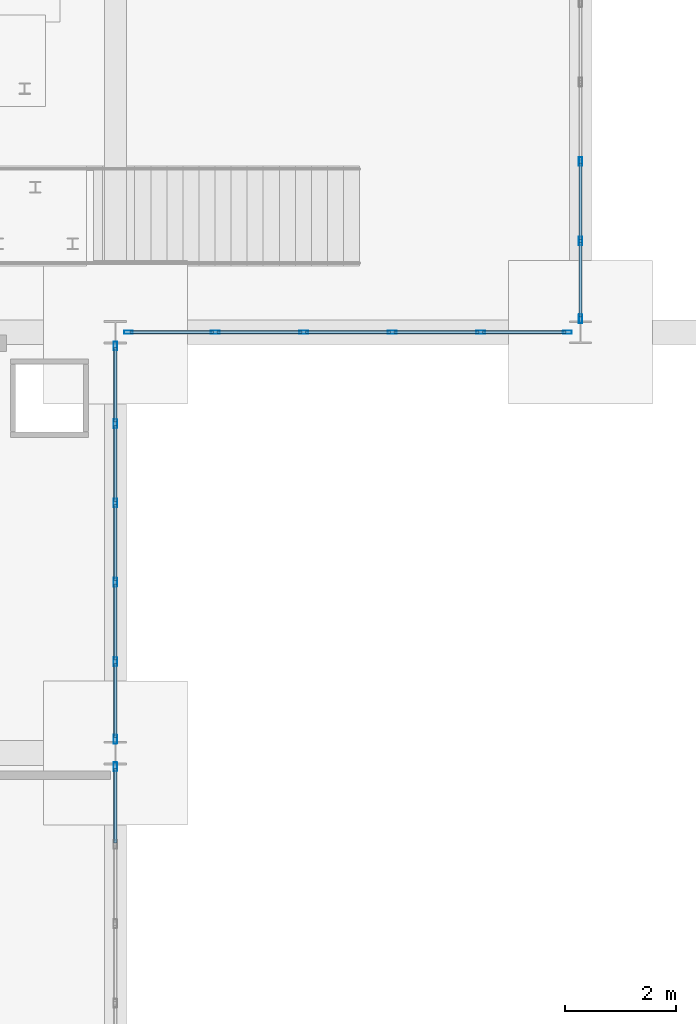
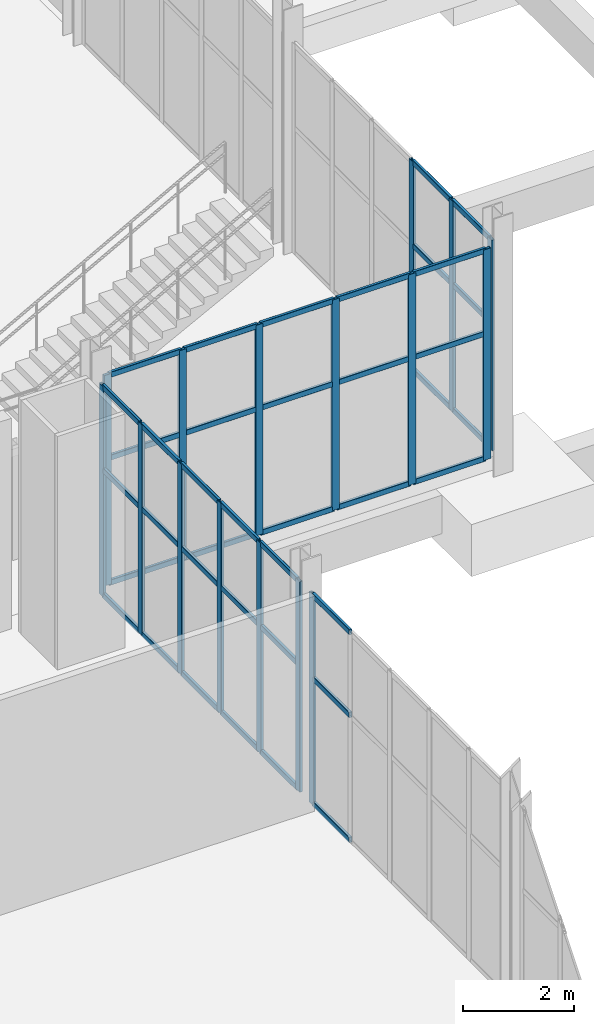
# One storey, part 34 of 95: 55 members, 4 elements without a shape of their own.
"""IFC4 building model written with IfcOpenShell, lengths in metres."""

from ifc_helpers import new_model, si_unit, direction, frame, origin, origin_2d, place, context, subcontext, project, spatial, hollow_rectangle, extrude, material, material_profile, profile_set, type_object, element, aggregate, save


model = new_model("IFC4")

# Units and contexts
model_context = context("Model", 3, precision=1e-05, world=origin(), true_north=direction((0.0, 1.0)))
body_context = subcontext(model_context, "Body", "Model", "MODEL_VIEW")
ifc_project = project(units=[si_unit("LENGTHUNIT", "METRE"), si_unit("AREAUNIT", "SQUARE_METRE"), si_unit("VOLUMEUNIT", "CUBIC_METRE"), si_unit("PLANEANGLEUNIT", "RADIAN"), si_unit("MASSUNIT", "GRAM", prefix="KILO")], contexts=[model_context])

# Site, building, storey
site_placement = place(None, origin())
site = spatial("IfcSite", under=ifc_project, at=site_placement, CompositionType="ELEMENT")
building_placement = place(site_placement, origin())
building = spatial("IfcBuilding", under=site, at=building_placement, Name="Shengluoqiao Park Theatre", CompositionType="ELEMENT")
storey_placement = place(building_placement, origin())
storey = spatial("IfcBuildingStorey", under=building, at=storey_placement, Name="L00", CompositionType="ELEMENT", Elevation=0.0)

# Curtain wall, member
ifc_material = material(Name="Aluminium 6063-T6", Category="aluminium")
curtain_wall_type_1 = type_object("IfcCurtainWallType", Name="ENV-CW-COURT", PredefinedType="NOTDEFINED", material=ifc_material)
curtain_wall_1_placement = place(storey_placement, origin())
curtain_wall_1 = element("IfcCurtainWall", 1, at=curtain_wall_1_placement, inside=storey, type_object=curtain_wall_type_1, Name="L00 Curtain Wall CWX-L00-0014", PredefinedType="NOTDEFINED")
ifc_material_profile_1 = material_profile(ifc_material, hollow_rectangle(XDim=0.06005859375, YDim=0.159912109375, WallThickness=0.00390625, InnerFilletRadius=0.00390625, OuterFilletRadius=0.008056640625, at=origin_2d()), Name="ALU MULLION 160x60x4")
ifc_profile_set_1 = profile_set([ifc_material_profile_1], Name="Aluminium 6063-T6")
member_type_1 = type_object("IfcMemberType", Name="ENV-MUL-160", PredefinedType="MULLION", material=ifc_profile_set_1)
member_1_placement = place(storey_placement, frame((36.0, 45.35205078125, 0.0), z_axis=(0.0, 0.0, 1.0), x_axis=(-1.0, 0.0, 0.0)))
member_1 = element("IfcMember", 2, at=member_1_placement, type_object=member_type_1, Name="CW-05 mullion 6", PredefinedType="MULLION", context=body_context, shape_type="SweptSolid", body=[
    extrude(hollow_rectangle(XDim=0.06005859375, YDim=0.159912109375, WallThickness=0.00390625, InnerFilletRadius=0.00390625, OuterFilletRadius=0.008056640625, at=origin_2d()), origin(), (0.0, 0.0, 1.0), 4.64990234375),
])

# Curtain wall, members
curtain_wall_2_placement = place(storey_placement, origin())
curtain_wall_2 = element("IfcCurtainWall", 3, at=curtain_wall_2_placement, inside=storey, type_object=curtain_wall_type_1, Name="L00 Curtain Wall CWX-L00-0015", PredefinedType="NOTDEFINED")
member_2_placement = place(storey_placement, frame((36.0, 45.847900390625, 0.0), z_axis=(0.0, 0.0, 1.0), x_axis=(-1.0, 0.0, 0.0)))
member_2 = element("IfcMember", 4, at=member_2_placement, type_object=member_type_1, Name="CW-05 mullion 1", PredefinedType="MULLION", context=body_context, shape_type="SweptSolid", body=[
    extrude(hollow_rectangle(XDim=0.06005859375, YDim=0.159912109375, WallThickness=0.00390625, InnerFilletRadius=0.00390625, OuterFilletRadius=0.008056640625, at=origin_2d()), origin(), (0.0, 0.0, 1.0), 4.64990234375),
])
member_3_placement = place(storey_placement, frame((36.0, 47.250732421875, 0.0), z_axis=(0.0, 0.0, 1.0), x_axis=(-1.0, 0.0, 0.0)))
member_3 = element("IfcMember", 5, at=member_3_placement, type_object=member_type_1, Name="CW-05 mullion 2", PredefinedType="MULLION", context=body_context, shape_type="SweptSolid", body=[
    extrude(hollow_rectangle(XDim=0.06005859375, YDim=0.159912109375, WallThickness=0.00390625, InnerFilletRadius=0.00390625, OuterFilletRadius=0.008056640625, at=origin_2d()), origin(), (0.0, 0.0, 1.0), 4.64990234375),
])
member_4_placement = place(storey_placement, frame((36.0, 48.68359375, 0.0), z_axis=(0.0, 0.0, 1.0), x_axis=(-1.0, 0.0, 0.0)))
member_4 = element("IfcMember", 6, at=member_4_placement, type_object=member_type_1, Name="CW-05 mullion 3", PredefinedType="MULLION", context=body_context, shape_type="SweptSolid", body=[
    extrude(hollow_rectangle(XDim=0.06005859375, YDim=0.159912109375, WallThickness=0.00390625, InnerFilletRadius=0.00390625, OuterFilletRadius=0.008056640625, at=origin_2d()), origin(), (0.0, 0.0, 1.0), 4.64990234375),
])
member_5_placement = place(storey_placement, frame((36.0, 50.116455078125, 0.0), z_axis=(0.0, 0.0, 1.0), x_axis=(-1.0, 0.0, 0.0)))
member_5 = element("IfcMember", 7, at=member_5_placement, type_object=member_type_1, Name="CW-05 mullion 4", PredefinedType="MULLION", context=body_context, shape_type="SweptSolid", body=[
    extrude(hollow_rectangle(XDim=0.06005859375, YDim=0.159912109375, WallThickness=0.00390625, InnerFilletRadius=0.00390625, OuterFilletRadius=0.008056640625, at=origin_2d()), origin(), (0.0, 0.0, 1.0), 4.64990234375),
])
member_6_placement = place(storey_placement, frame((36.0, 51.54931640625, 0.0), z_axis=(0.0, 0.0, 1.0), x_axis=(-1.0, 0.0, 0.0)))
member_6 = element("IfcMember", 8, at=member_6_placement, type_object=member_type_1, Name="CW-05 mullion 5", PredefinedType="MULLION", context=body_context, shape_type="SweptSolid", body=[
    extrude(hollow_rectangle(XDim=0.06005859375, YDim=0.159912109375, WallThickness=0.00390625, InnerFilletRadius=0.00390625, OuterFilletRadius=0.008056640625, at=origin_2d()), origin(), (0.0, 0.0, 1.0), 4.64990234375),
])
member_7_placement = place(storey_placement, frame((36.0, 52.951904296875, 0.0), z_axis=(0.0, 0.0, 1.0), x_axis=(-1.0, 0.0, 0.0)))
member_7 = element("IfcMember", 9, at=member_7_placement, type_object=member_type_1, Name="CW-05 mullion 6", PredefinedType="MULLION", context=body_context, shape_type="SweptSolid", body=[
    extrude(hollow_rectangle(XDim=0.06005859375, YDim=0.159912109375, WallThickness=0.00390625, InnerFilletRadius=0.00390625, OuterFilletRadius=0.008056640625, at=origin_2d()), origin(), (0.0, 0.0, 1.0), 4.64990234375),
])

curtain_wall_type_2 = type_object("IfcCurtainWallType", Name="ENV-CW-FOYER", PredefinedType="NOTDEFINED", material=ifc_material)
curtain_wall_3_placement = place(storey_placement, origin())
curtain_wall_3 = element("IfcCurtainWall", 10, at=curtain_wall_3_placement, inside=storey, type_object=curtain_wall_type_2, Name="L00 Curtain Wall CWX-L00-0209", PredefinedType="NOTDEFINED")
member_8_placement = place(storey_placement, frame((36.237548828125, 53.199951171875, 0.0), z_axis=(0.0, 0.0, 1.0), x_axis=(0.0, 1.0, 0.0)))
member_8 = element("IfcMember", 11, at=member_8_placement, type_object=member_type_1, Name="CW-01 mullion 1", PredefinedType="MULLION", context=body_context, shape_type="SweptSolid", body=[
    extrude(hollow_rectangle(XDim=0.06005859375, YDim=0.159912109375, WallThickness=0.00390625, InnerFilletRadius=0.00390625, OuterFilletRadius=0.008056640625, at=origin_2d()), origin(), (0.0, 0.0, 1.0), 4.64990234375),
])
member_9_placement = place(storey_placement, frame((37.8046875, 53.199951171875, 0.0), z_axis=(0.0, 0.0, 1.0), x_axis=(0.0, 1.0, 0.0)))
member_9 = element("IfcMember", 12, at=member_9_placement, type_object=member_type_1, Name="CW-01 mullion 2", PredefinedType="MULLION", context=body_context, shape_type="SweptSolid", body=[
    extrude(hollow_rectangle(XDim=0.06005859375, YDim=0.159912109375, WallThickness=0.00390625, InnerFilletRadius=0.00390625, OuterFilletRadius=0.008056640625, at=origin_2d()), origin(), (0.0, 0.0, 1.0), 4.64990234375),
])
member_10_placement = place(storey_placement, frame((39.40185546875, 53.199951171875, 0.0), z_axis=(0.0, 0.0, 1.0), x_axis=(0.0, 1.0, 0.0)))
member_10 = element("IfcMember", 13, at=member_10_placement, type_object=member_type_1, Name="CW-01 mullion 3", PredefinedType="MULLION", context=body_context, shape_type="SweptSolid", body=[
    extrude(hollow_rectangle(XDim=0.06005859375, YDim=0.159912109375, WallThickness=0.00390625, InnerFilletRadius=0.00390625, OuterFilletRadius=0.008056640625, at=origin_2d()), origin(), (0.0, 0.0, 1.0), 4.64990234375),
])
member_11_placement = place(storey_placement, frame((40.9990234375, 53.199951171875, 0.0), z_axis=(0.0, 0.0, 1.0), x_axis=(0.0, 1.0, 0.0)))
member_11 = element("IfcMember", 14, at=member_11_placement, type_object=member_type_1, Name="CW-01 mullion 4", PredefinedType="MULLION", context=body_context, shape_type="SweptSolid", body=[
    extrude(hollow_rectangle(XDim=0.06005859375, YDim=0.159912109375, WallThickness=0.00390625, InnerFilletRadius=0.00390625, OuterFilletRadius=0.008056640625, at=origin_2d()), origin(), (0.0, 0.0, 1.0), 4.64990234375),
])
member_12_placement = place(storey_placement, frame((42.59619140625, 53.199951171875, 0.0), z_axis=(0.0, 0.0, 1.0), x_axis=(0.0, 1.0, 0.0)))
member_12 = element("IfcMember", 15, at=member_12_placement, type_object=member_type_1, Name="CW-01 mullion 5", PredefinedType="MULLION", context=body_context, shape_type="SweptSolid", body=[
    extrude(hollow_rectangle(XDim=0.06005859375, YDim=0.159912109375, WallThickness=0.00390625, InnerFilletRadius=0.00390625, OuterFilletRadius=0.008056640625, at=origin_2d()), origin(), (0.0, 0.0, 1.0), 4.64990234375),
])
member_13_placement = place(storey_placement, frame((44.16357421875, 53.199951171875, 0.0), z_axis=(0.0, 0.0, 1.0), x_axis=(0.0, 1.0, 0.0)))
member_13 = element("IfcMember", 16, at=member_13_placement, type_object=member_type_1, Name="CW-01 mullion 6", PredefinedType="MULLION", context=body_context, shape_type="SweptSolid", body=[
    extrude(hollow_rectangle(XDim=0.06005859375, YDim=0.159912109375, WallThickness=0.00390625, InnerFilletRadius=0.00390625, OuterFilletRadius=0.008056640625, at=origin_2d()), origin(), (0.0, 0.0, 1.0), 4.64990234375),
])

curtain_wall_4_placement = place(storey_placement, origin())
curtain_wall_4 = element("IfcCurtainWall", 17, at=curtain_wall_4_placement, inside=storey, type_object=curtain_wall_type_1, Name="L00 Curtain Wall CWX-L00-0210", PredefinedType="NOTDEFINED")
member_14_placement = place(storey_placement, frame((44.39990234375, 53.44091796875, 0.0), z_axis=(0.0, 0.0, 1.0), x_axis=(-1.0, 0.0, 0.0)))
member_14 = element("IfcMember", 18, at=member_14_placement, type_object=member_type_1, Name="CW-05 mullion 1", PredefinedType="MULLION", context=body_context, shape_type="SweptSolid", body=[
    extrude(hollow_rectangle(XDim=0.06005859375, YDim=0.159912109375, WallThickness=0.00390625, InnerFilletRadius=0.00390625, OuterFilletRadius=0.008056640625, at=origin_2d()), origin(), (0.0, 0.0, 1.0), 4.64990234375),
])
member_15_placement = place(storey_placement, frame((44.39990234375, 54.8466796875, 0.0), z_axis=(0.0, 0.0, 1.0), x_axis=(-1.0, 0.0, 0.0)))
member_15 = element("IfcMember", 19, at=member_15_placement, type_object=member_type_1, Name="CW-05 mullion 2", PredefinedType="MULLION", context=body_context, shape_type="SweptSolid", body=[
    extrude(hollow_rectangle(XDim=0.06005859375, YDim=0.159912109375, WallThickness=0.00390625, InnerFilletRadius=0.00390625, OuterFilletRadius=0.008056640625, at=origin_2d()), origin(), (0.0, 0.0, 1.0), 4.64990234375),
])
member_16_placement = place(storey_placement, frame((44.39990234375, 56.2822265625, 0.0), z_axis=(0.0, 0.0, 1.0), x_axis=(-1.0, 0.0, 0.0)))
member_16 = element("IfcMember", 20, at=member_16_placement, type_object=member_type_1, Name="CW-05 mullion 3", PredefinedType="MULLION", context=body_context, shape_type="SweptSolid", body=[
    extrude(hollow_rectangle(XDim=0.06005859375, YDim=0.159912109375, WallThickness=0.00390625, InnerFilletRadius=0.00390625, OuterFilletRadius=0.008056640625, at=origin_2d()), origin(), (0.0, 0.0, 1.0), 4.64990234375),
])

# Member
ifc_material_profile_2 = material_profile(ifc_material, hollow_rectangle(XDim=0.06005859375, YDim=0.1201171875, WallThickness=0.00390625, InnerFilletRadius=0.00390625, OuterFilletRadius=0.008056640625, at=origin_2d()), Name="ALU TRANSOM 120x60x4")
ifc_profile_set_2 = profile_set([ifc_material_profile_2], Name="Aluminium 6063-T6")
member_type_2 = type_object("IfcMemberType", Name="ENV-TRN-120", PredefinedType="USERDEFINED", material=ifc_profile_set_2)
member_17_placement = place(storey_placement, frame((36.0, 43.979248046875, 0.030029296875), z_axis=(0.0, 1.0, 0.0), x_axis=(-1.0, 0.0, 0.0)))
member_17 = element("IfcMember", 21, at=member_17_placement, type_object=member_type_2, Name="CW-05 transom 5.1", ObjectType="TRANSOM", PredefinedType="USERDEFINED", context=body_context, shape_type="SweptSolid", body=[
    extrude(hollow_rectangle(XDim=0.06005859375, YDim=0.1201171875, WallThickness=0.00390625, InnerFilletRadius=0.00390625, OuterFilletRadius=0.008056640625, at=origin_2d()), origin(), (0.0, 0.0, 1.0), 1.3427734375),
])

member_18_placement = place(storey_placement, frame((36.0, 43.979248046875, 2.7900390625), z_axis=(0.0, 1.0, 0.0), x_axis=(-1.0, 0.0, 0.0)))
member_18 = element("IfcMember", 22, at=member_18_placement, type_object=member_type_2, Name="CW-05 transom 5.2", ObjectType="TRANSOM", PredefinedType="USERDEFINED", context=body_context, shape_type="SweptSolid", body=[
    extrude(hollow_rectangle(XDim=0.06005859375, YDim=0.1201171875, WallThickness=0.00390625, InnerFilletRadius=0.00390625, OuterFilletRadius=0.008056640625, at=origin_2d()), origin(), (0.0, 0.0, 1.0), 1.3427734375),
])

member_19_placement = place(storey_placement, frame((36.0, 43.979248046875, 4.6201171875), z_axis=(0.0, 1.0, 0.0), x_axis=(-1.0, 0.0, 0.0)))
member_19 = element("IfcMember", 23, at=member_19_placement, type_object=member_type_2, Name="CW-05 transom 5.3", ObjectType="TRANSOM", PredefinedType="USERDEFINED", context=body_context, shape_type="SweptSolid", body=[
    extrude(hollow_rectangle(XDim=0.06005859375, YDim=0.1201171875, WallThickness=0.00390625, InnerFilletRadius=0.00390625, OuterFilletRadius=0.008056640625, at=origin_2d()), origin(), (0.0, 0.0, 1.0), 1.3427734375),
])

aggregate(curtain_wall_1, [member_1, member_17, member_18, member_19])

member_20_placement = place(storey_placement, frame((36.0, 45.8779296875, 0.030029296875), z_axis=(0.0, 1.0, 0.0), x_axis=(-1.0, 0.0, 0.0)))
member_20 = element("IfcMember", 24, at=member_20_placement, type_object=member_type_2, Name="CW-05 transom 1.1", ObjectType="TRANSOM", PredefinedType="USERDEFINED", context=body_context, shape_type="SweptSolid", body=[
    extrude(hollow_rectangle(XDim=0.06005859375, YDim=0.1201171875, WallThickness=0.00390625, InnerFilletRadius=0.00390625, OuterFilletRadius=0.008056640625, at=origin_2d()), origin(), (0.0, 0.0, 1.0), 1.3427734375),
])

member_21_placement = place(storey_placement, frame((36.0, 45.8779296875, 2.7900390625), z_axis=(0.0, 1.0, 0.0), x_axis=(-1.0, 0.0, 0.0)))
member_21 = element("IfcMember", 25, at=member_21_placement, type_object=member_type_2, Name="CW-05 transom 1.2", ObjectType="TRANSOM", PredefinedType="USERDEFINED", context=body_context, shape_type="SweptSolid", body=[
    extrude(hollow_rectangle(XDim=0.06005859375, YDim=0.1201171875, WallThickness=0.00390625, InnerFilletRadius=0.00390625, OuterFilletRadius=0.008056640625, at=origin_2d()), origin(), (0.0, 0.0, 1.0), 1.3427734375),
])

member_22_placement = place(storey_placement, frame((36.0, 45.8779296875, 4.6201171875), z_axis=(0.0, 1.0, 0.0), x_axis=(-1.0, 0.0, 0.0)))
member_22 = element("IfcMember", 26, at=member_22_placement, type_object=member_type_2, Name="CW-05 transom 1.3", ObjectType="TRANSOM", PredefinedType="USERDEFINED", context=body_context, shape_type="SweptSolid", body=[
    extrude(hollow_rectangle(XDim=0.06005859375, YDim=0.1201171875, WallThickness=0.00390625, InnerFilletRadius=0.00390625, OuterFilletRadius=0.008056640625, at=origin_2d()), origin(), (0.0, 0.0, 1.0), 1.3427734375),
])

member_23_placement = place(storey_placement, frame((36.0, 47.28076171875, 0.030029296875), z_axis=(0.0, 1.0, 0.0), x_axis=(-1.0, 0.0, 0.0)))
member_23 = element("IfcMember", 27, at=member_23_placement, type_object=member_type_2, Name="CW-05 transom 2.1", ObjectType="TRANSOM", PredefinedType="USERDEFINED", context=body_context, shape_type="SweptSolid", body=[
    extrude(hollow_rectangle(XDim=0.06005859375, YDim=0.1201171875, WallThickness=0.00390625, InnerFilletRadius=0.00390625, OuterFilletRadius=0.008056640625, at=origin_2d()), origin(), (0.0, 0.0, 1.0), 1.372802734375),
])

member_24_placement = place(storey_placement, frame((36.0, 47.28076171875, 2.7900390625), z_axis=(0.0, 1.0, 0.0), x_axis=(-1.0, 0.0, 0.0)))
member_24 = element("IfcMember", 28, at=member_24_placement, type_object=member_type_2, Name="CW-05 transom 2.2", ObjectType="TRANSOM", PredefinedType="USERDEFINED", context=body_context, shape_type="SweptSolid", body=[
    extrude(hollow_rectangle(XDim=0.06005859375, YDim=0.1201171875, WallThickness=0.00390625, InnerFilletRadius=0.00390625, OuterFilletRadius=0.008056640625, at=origin_2d()), origin(), (0.0, 0.0, 1.0), 1.372802734375),
])

member_25_placement = place(storey_placement, frame((36.0, 47.28076171875, 4.6201171875), z_axis=(0.0, 1.0, 0.0), x_axis=(-1.0, 0.0, 0.0)))
member_25 = element("IfcMember", 29, at=member_25_placement, type_object=member_type_2, Name="CW-05 transom 2.3", ObjectType="TRANSOM", PredefinedType="USERDEFINED", context=body_context, shape_type="SweptSolid", body=[
    extrude(hollow_rectangle(XDim=0.06005859375, YDim=0.1201171875, WallThickness=0.00390625, InnerFilletRadius=0.00390625, OuterFilletRadius=0.008056640625, at=origin_2d()), origin(), (0.0, 0.0, 1.0), 1.372802734375),
])

member_26_placement = place(storey_placement, frame((36.0, 48.713623046875, 0.030029296875), z_axis=(0.0, 1.0, 0.0), x_axis=(-1.0, 0.0, 0.0)))
member_26 = element("IfcMember", 30, at=member_26_placement, type_object=member_type_2, Name="CW-05 transom 3.1", ObjectType="TRANSOM", PredefinedType="USERDEFINED", context=body_context, shape_type="SweptSolid", body=[
    extrude(hollow_rectangle(XDim=0.06005859375, YDim=0.1201171875, WallThickness=0.00390625, InnerFilletRadius=0.00390625, OuterFilletRadius=0.008056640625, at=origin_2d()), origin(), (0.0, 0.0, 1.0), 1.372802734375),
])

member_27_placement = place(storey_placement, frame((36.0, 48.713623046875, 2.7900390625), z_axis=(0.0, 1.0, 0.0), x_axis=(-1.0, 0.0, 0.0)))
member_27 = element("IfcMember", 31, at=member_27_placement, type_object=member_type_2, Name="CW-05 transom 3.2", ObjectType="TRANSOM", PredefinedType="USERDEFINED", context=body_context, shape_type="SweptSolid", body=[
    extrude(hollow_rectangle(XDim=0.06005859375, YDim=0.1201171875, WallThickness=0.00390625, InnerFilletRadius=0.00390625, OuterFilletRadius=0.008056640625, at=origin_2d()), origin(), (0.0, 0.0, 1.0), 1.372802734375),
])

member_28_placement = place(storey_placement, frame((36.0, 48.713623046875, 4.6201171875), z_axis=(0.0, 1.0, 0.0), x_axis=(-1.0, 0.0, 0.0)))
member_28 = element("IfcMember", 32, at=member_28_placement, type_object=member_type_2, Name="CW-05 transom 3.3", ObjectType="TRANSOM", PredefinedType="USERDEFINED", context=body_context, shape_type="SweptSolid", body=[
    extrude(hollow_rectangle(XDim=0.06005859375, YDim=0.1201171875, WallThickness=0.00390625, InnerFilletRadius=0.00390625, OuterFilletRadius=0.008056640625, at=origin_2d()), origin(), (0.0, 0.0, 1.0), 1.372802734375),
])

member_29_placement = place(storey_placement, frame((36.0, 50.146484375, 0.030029296875), z_axis=(0.0, 1.0, 0.0), x_axis=(-1.0, 0.0, 0.0)))
member_29 = element("IfcMember", 33, at=member_29_placement, type_object=member_type_2, Name="CW-05 transom 4.1", ObjectType="TRANSOM", PredefinedType="USERDEFINED", context=body_context, shape_type="SweptSolid", body=[
    extrude(hollow_rectangle(XDim=0.06005859375, YDim=0.1201171875, WallThickness=0.00390625, InnerFilletRadius=0.00390625, OuterFilletRadius=0.008056640625, at=origin_2d()), origin(), (0.0, 0.0, 1.0), 1.372802734375),
])

member_30_placement = place(storey_placement, frame((36.0, 50.146484375, 2.7900390625), z_axis=(0.0, 1.0, 0.0), x_axis=(-1.0, 0.0, 0.0)))
member_30 = element("IfcMember", 34, at=member_30_placement, type_object=member_type_2, Name="CW-05 transom 4.2", ObjectType="TRANSOM", PredefinedType="USERDEFINED", context=body_context, shape_type="SweptSolid", body=[
    extrude(hollow_rectangle(XDim=0.06005859375, YDim=0.1201171875, WallThickness=0.00390625, InnerFilletRadius=0.00390625, OuterFilletRadius=0.008056640625, at=origin_2d()), origin(), (0.0, 0.0, 1.0), 1.372802734375),
])

member_31_placement = place(storey_placement, frame((36.0, 50.146484375, 4.6201171875), z_axis=(0.0, 1.0, 0.0), x_axis=(-1.0, 0.0, 0.0)))
member_31 = element("IfcMember", 35, at=member_31_placement, type_object=member_type_2, Name="CW-05 transom 4.3", ObjectType="TRANSOM", PredefinedType="USERDEFINED", context=body_context, shape_type="SweptSolid", body=[
    extrude(hollow_rectangle(XDim=0.06005859375, YDim=0.1201171875, WallThickness=0.00390625, InnerFilletRadius=0.00390625, OuterFilletRadius=0.008056640625, at=origin_2d()), origin(), (0.0, 0.0, 1.0), 1.372802734375),
])

member_32_placement = place(storey_placement, frame((36.0, 51.5791015625, 0.030029296875), z_axis=(0.0, 1.0, 0.0), x_axis=(-1.0, 0.0, 0.0)))
member_32 = element("IfcMember", 36, at=member_32_placement, type_object=member_type_2, Name="CW-05 transom 5.1", ObjectType="TRANSOM", PredefinedType="USERDEFINED", context=body_context, shape_type="SweptSolid", body=[
    extrude(hollow_rectangle(XDim=0.06005859375, YDim=0.1201171875, WallThickness=0.00390625, InnerFilletRadius=0.00390625, OuterFilletRadius=0.008056640625, at=origin_2d()), origin(), (0.0, 0.0, 1.0), 1.343017578125),
])

member_33_placement = place(storey_placement, frame((36.0, 51.5791015625, 2.7900390625), z_axis=(0.0, 1.0, 0.0), x_axis=(-1.0, 0.0, 0.0)))
member_33 = element("IfcMember", 37, at=member_33_placement, type_object=member_type_2, Name="CW-05 transom 5.2", ObjectType="TRANSOM", PredefinedType="USERDEFINED", context=body_context, shape_type="SweptSolid", body=[
    extrude(hollow_rectangle(XDim=0.06005859375, YDim=0.1201171875, WallThickness=0.00390625, InnerFilletRadius=0.00390625, OuterFilletRadius=0.008056640625, at=origin_2d()), origin(), (0.0, 0.0, 1.0), 1.343017578125),
])

member_34_placement = place(storey_placement, frame((36.0, 51.5791015625, 4.6201171875), z_axis=(0.0, 1.0, 0.0), x_axis=(-1.0, 0.0, 0.0)))
member_34 = element("IfcMember", 38, at=member_34_placement, type_object=member_type_2, Name="CW-05 transom 5.3", ObjectType="TRANSOM", PredefinedType="USERDEFINED", context=body_context, shape_type="SweptSolid", body=[
    extrude(hollow_rectangle(XDim=0.06005859375, YDim=0.1201171875, WallThickness=0.00390625, InnerFilletRadius=0.00390625, OuterFilletRadius=0.008056640625, at=origin_2d()), origin(), (0.0, 0.0, 1.0), 1.343017578125),
])

aggregate(curtain_wall_2, [member_2, member_3, member_4, member_5, member_6, member_7, member_20, member_21, member_22, member_23, member_24, member_25, member_26, member_27, member_28, member_29, member_30, member_31, member_32, member_33, member_34])

member_35_placement = place(storey_placement, frame((36.267578125, 53.199951171875, 0.030029296875), z_axis=(1.0, 0.0, 0.0), x_axis=(0.0, 1.0, 0.0)))
member_35 = element("IfcMember", 39, at=member_35_placement, type_object=member_type_2, Name="CW-01 transom 1.1", ObjectType="TRANSOM", PredefinedType="USERDEFINED", context=body_context, shape_type="SweptSolid", body=[
    extrude(hollow_rectangle(XDim=0.06005859375, YDim=0.1201171875, WallThickness=0.00390625, InnerFilletRadius=0.00390625, OuterFilletRadius=0.008056640625, at=origin_2d()), origin(), (0.0, 0.0, 1.0), 1.507080078125),
])

member_36_placement = place(storey_placement, frame((36.267578125, 53.199951171875, 2.7900390625), z_axis=(1.0, 0.0, 0.0), x_axis=(0.0, 1.0, 0.0)))
member_36 = element("IfcMember", 40, at=member_36_placement, type_object=member_type_2, Name="CW-01 transom 1.2", ObjectType="TRANSOM", PredefinedType="USERDEFINED", context=body_context, shape_type="SweptSolid", body=[
    extrude(hollow_rectangle(XDim=0.06005859375, YDim=0.1201171875, WallThickness=0.00390625, InnerFilletRadius=0.00390625, OuterFilletRadius=0.008056640625, at=origin_2d()), origin(), (0.0, 0.0, 1.0), 1.507080078125),
])

member_37_placement = place(storey_placement, frame((36.267578125, 53.199951171875, 4.6201171875), z_axis=(1.0, 0.0, 0.0), x_axis=(0.0, 1.0, 0.0)))
member_37 = element("IfcMember", 41, at=member_37_placement, type_object=member_type_2, Name="CW-01 transom 1.3", ObjectType="TRANSOM", PredefinedType="USERDEFINED", context=body_context, shape_type="SweptSolid", body=[
    extrude(hollow_rectangle(XDim=0.06005859375, YDim=0.1201171875, WallThickness=0.00390625, InnerFilletRadius=0.00390625, OuterFilletRadius=0.008056640625, at=origin_2d()), origin(), (0.0, 0.0, 1.0), 1.507080078125),
])

member_38_placement = place(storey_placement, frame((37.834716796875, 53.199951171875, 0.030029296875), z_axis=(1.0, 0.0, 0.0), x_axis=(0.0, 1.0, 0.0)))
member_38 = element("IfcMember", 42, at=member_38_placement, type_object=member_type_2, Name="CW-01 transom 2.1", ObjectType="TRANSOM", PredefinedType="USERDEFINED", context=body_context, shape_type="SweptSolid", body=[
    extrude(hollow_rectangle(XDim=0.06005859375, YDim=0.1201171875, WallThickness=0.00390625, InnerFilletRadius=0.00390625, OuterFilletRadius=0.008056640625, at=origin_2d()), origin(), (0.0, 0.0, 1.0), 1.537109375),
])

member_39_placement = place(storey_placement, frame((37.834716796875, 53.199951171875, 2.7900390625), z_axis=(1.0, 0.0, 0.0), x_axis=(0.0, 1.0, 0.0)))
member_39 = element("IfcMember", 43, at=member_39_placement, type_object=member_type_2, Name="CW-01 transom 2.2", ObjectType="TRANSOM", PredefinedType="USERDEFINED", context=body_context, shape_type="SweptSolid", body=[
    extrude(hollow_rectangle(XDim=0.06005859375, YDim=0.1201171875, WallThickness=0.00390625, InnerFilletRadius=0.00390625, OuterFilletRadius=0.008056640625, at=origin_2d()), origin(), (0.0, 0.0, 1.0), 1.537109375),
])

member_40_placement = place(storey_placement, frame((37.834716796875, 53.199951171875, 4.6201171875), z_axis=(1.0, 0.0, 0.0), x_axis=(0.0, 1.0, 0.0)))
member_40 = element("IfcMember", 44, at=member_40_placement, type_object=member_type_2, Name="CW-01 transom 2.3", ObjectType="TRANSOM", PredefinedType="USERDEFINED", context=body_context, shape_type="SweptSolid", body=[
    extrude(hollow_rectangle(XDim=0.06005859375, YDim=0.1201171875, WallThickness=0.00390625, InnerFilletRadius=0.00390625, OuterFilletRadius=0.008056640625, at=origin_2d()), origin(), (0.0, 0.0, 1.0), 1.537109375),
])

member_41_placement = place(storey_placement, frame((39.431884765625, 53.199951171875, 0.030029296875), z_axis=(1.0, 0.0, 0.0), x_axis=(0.0, 1.0, 0.0)))
member_41 = element("IfcMember", 45, at=member_41_placement, type_object=member_type_2, Name="CW-01 transom 3.1", ObjectType="TRANSOM", PredefinedType="USERDEFINED", context=body_context, shape_type="SweptSolid", body=[
    extrude(hollow_rectangle(XDim=0.06005859375, YDim=0.1201171875, WallThickness=0.00390625, InnerFilletRadius=0.00390625, OuterFilletRadius=0.008056640625, at=origin_2d()), origin(), (0.0, 0.0, 1.0), 1.537109375),
])

member_42_placement = place(storey_placement, frame((39.431884765625, 53.199951171875, 2.7900390625), z_axis=(1.0, 0.0, 0.0), x_axis=(0.0, 1.0, 0.0)))
member_42 = element("IfcMember", 46, at=member_42_placement, type_object=member_type_2, Name="CW-01 transom 3.2", ObjectType="TRANSOM", PredefinedType="USERDEFINED", context=body_context, shape_type="SweptSolid", body=[
    extrude(hollow_rectangle(XDim=0.06005859375, YDim=0.1201171875, WallThickness=0.00390625, InnerFilletRadius=0.00390625, OuterFilletRadius=0.008056640625, at=origin_2d()), origin(), (0.0, 0.0, 1.0), 1.537109375),
])

member_43_placement = place(storey_placement, frame((39.431884765625, 53.199951171875, 4.6201171875), z_axis=(1.0, 0.0, 0.0), x_axis=(0.0, 1.0, 0.0)))
member_43 = element("IfcMember", 47, at=member_43_placement, type_object=member_type_2, Name="CW-01 transom 3.3", ObjectType="TRANSOM", PredefinedType="USERDEFINED", context=body_context, shape_type="SweptSolid", body=[
    extrude(hollow_rectangle(XDim=0.06005859375, YDim=0.1201171875, WallThickness=0.00390625, InnerFilletRadius=0.00390625, OuterFilletRadius=0.008056640625, at=origin_2d()), origin(), (0.0, 0.0, 1.0), 1.537109375),
])

member_44_placement = place(storey_placement, frame((41.029052734375, 53.199951171875, 0.030029296875), z_axis=(1.0, 0.0, 0.0), x_axis=(0.0, 1.0, 0.0)))
member_44 = element("IfcMember", 48, at=member_44_placement, type_object=member_type_2, Name="CW-01 transom 4.1", ObjectType="TRANSOM", PredefinedType="USERDEFINED", context=body_context, shape_type="SweptSolid", body=[
    extrude(hollow_rectangle(XDim=0.06005859375, YDim=0.1201171875, WallThickness=0.00390625, InnerFilletRadius=0.00390625, OuterFilletRadius=0.008056640625, at=origin_2d()), origin(), (0.0, 0.0, 1.0), 1.537353515625),
])

member_45_placement = place(storey_placement, frame((41.029052734375, 53.199951171875, 2.7900390625), z_axis=(1.0, 0.0, 0.0), x_axis=(0.0, 1.0, 0.0)))
member_45 = element("IfcMember", 49, at=member_45_placement, type_object=member_type_2, Name="CW-01 transom 4.2", ObjectType="TRANSOM", PredefinedType="USERDEFINED", context=body_context, shape_type="SweptSolid", body=[
    extrude(hollow_rectangle(XDim=0.06005859375, YDim=0.1201171875, WallThickness=0.00390625, InnerFilletRadius=0.00390625, OuterFilletRadius=0.008056640625, at=origin_2d()), origin(), (0.0, 0.0, 1.0), 1.537353515625),
])

member_46_placement = place(storey_placement, frame((41.029052734375, 53.199951171875, 4.6201171875), z_axis=(1.0, 0.0, 0.0), x_axis=(0.0, 1.0, 0.0)))
member_46 = element("IfcMember", 50, at=member_46_placement, type_object=member_type_2, Name="CW-01 transom 4.3", ObjectType="TRANSOM", PredefinedType="USERDEFINED", context=body_context, shape_type="SweptSolid", body=[
    extrude(hollow_rectangle(XDim=0.06005859375, YDim=0.1201171875, WallThickness=0.00390625, InnerFilletRadius=0.00390625, OuterFilletRadius=0.008056640625, at=origin_2d()), origin(), (0.0, 0.0, 1.0), 1.537353515625),
])

member_47_placement = place(storey_placement, frame((42.626220703125, 53.199951171875, 0.030029296875), z_axis=(1.0, 0.0, 0.0), x_axis=(0.0, 1.0, 0.0)))
member_47 = element("IfcMember", 51, at=member_47_placement, type_object=member_type_2, Name="CW-01 transom 5.1", ObjectType="TRANSOM", PredefinedType="USERDEFINED", context=body_context, shape_type="SweptSolid", body=[
    extrude(hollow_rectangle(XDim=0.06005859375, YDim=0.1201171875, WallThickness=0.00390625, InnerFilletRadius=0.00390625, OuterFilletRadius=0.008056640625, at=origin_2d()), origin(), (0.0, 0.0, 1.0), 1.50732421875),
])

member_48_placement = place(storey_placement, frame((42.626220703125, 53.199951171875, 2.7900390625), z_axis=(1.0, 0.0, 0.0), x_axis=(0.0, 1.0, 0.0)))
member_48 = element("IfcMember", 52, at=member_48_placement, type_object=member_type_2, Name="CW-01 transom 5.2", ObjectType="TRANSOM", PredefinedType="USERDEFINED", context=body_context, shape_type="SweptSolid", body=[
    extrude(hollow_rectangle(XDim=0.06005859375, YDim=0.1201171875, WallThickness=0.00390625, InnerFilletRadius=0.00390625, OuterFilletRadius=0.008056640625, at=origin_2d()), origin(), (0.0, 0.0, 1.0), 1.50732421875),
])

member_49_placement = place(storey_placement, frame((42.626220703125, 53.199951171875, 4.6201171875), z_axis=(1.0, 0.0, 0.0), x_axis=(0.0, 1.0, 0.0)))
member_49 = element("IfcMember", 53, at=member_49_placement, type_object=member_type_2, Name="CW-01 transom 5.3", ObjectType="TRANSOM", PredefinedType="USERDEFINED", context=body_context, shape_type="SweptSolid", body=[
    extrude(hollow_rectangle(XDim=0.06005859375, YDim=0.1201171875, WallThickness=0.00390625, InnerFilletRadius=0.00390625, OuterFilletRadius=0.008056640625, at=origin_2d()), origin(), (0.0, 0.0, 1.0), 1.50732421875),
])

aggregate(curtain_wall_3, [member_8, member_9, member_10, member_11, member_12, member_13, member_35, member_36, member_37, member_38, member_39, member_40, member_41, member_42, member_43, member_44, member_45, member_46, member_47, member_48, member_49])

member_50_placement = place(storey_placement, frame((44.39990234375, 53.470947265625, 0.030029296875), z_axis=(0.0, 1.0, 0.0), x_axis=(-1.0, 0.0, 0.0)))
member_50 = element("IfcMember", 54, at=member_50_placement, type_object=member_type_2, Name="CW-05 transom 1.1", ObjectType="TRANSOM", PredefinedType="USERDEFINED", context=body_context, shape_type="SweptSolid", body=[
    extrude(hollow_rectangle(XDim=0.06005859375, YDim=0.1201171875, WallThickness=0.00390625, InnerFilletRadius=0.00390625, OuterFilletRadius=0.008056640625, at=origin_2d()), origin(), (0.0, 0.0, 1.0), 1.345703125),
])

member_51_placement = place(storey_placement, frame((44.39990234375, 53.470947265625, 2.7900390625), z_axis=(0.0, 1.0, 0.0), x_axis=(-1.0, 0.0, 0.0)))
member_51 = element("IfcMember", 55, at=member_51_placement, type_object=member_type_2, Name="CW-05 transom 1.2", ObjectType="TRANSOM", PredefinedType="USERDEFINED", context=body_context, shape_type="SweptSolid", body=[
    extrude(hollow_rectangle(XDim=0.06005859375, YDim=0.1201171875, WallThickness=0.00390625, InnerFilletRadius=0.00390625, OuterFilletRadius=0.008056640625, at=origin_2d()), origin(), (0.0, 0.0, 1.0), 1.345703125),
])

member_52_placement = place(storey_placement, frame((44.39990234375, 53.470947265625, 4.6201171875), z_axis=(0.0, 1.0, 0.0), x_axis=(-1.0, 0.0, 0.0)))
member_52 = element("IfcMember", 56, at=member_52_placement, type_object=member_type_2, Name="CW-05 transom 1.3", ObjectType="TRANSOM", PredefinedType="USERDEFINED", context=body_context, shape_type="SweptSolid", body=[
    extrude(hollow_rectangle(XDim=0.06005859375, YDim=0.1201171875, WallThickness=0.00390625, InnerFilletRadius=0.00390625, OuterFilletRadius=0.008056640625, at=origin_2d()), origin(), (0.0, 0.0, 1.0), 1.345703125),
])

member_53_placement = place(storey_placement, frame((44.39990234375, 54.876708984375, 0.030029296875), z_axis=(0.0, 1.0, 0.0), x_axis=(-1.0, 0.0, 0.0)))
member_53 = element("IfcMember", 57, at=member_53_placement, type_object=member_type_2, Name="CW-05 transom 2.1", ObjectType="TRANSOM", PredefinedType="USERDEFINED", context=body_context, shape_type="SweptSolid", body=[
    extrude(hollow_rectangle(XDim=0.06005859375, YDim=0.1201171875, WallThickness=0.00390625, InnerFilletRadius=0.00390625, OuterFilletRadius=0.008056640625, at=origin_2d()), origin(), (0.0, 0.0, 1.0), 1.37548828125),
])

member_54_placement = place(storey_placement, frame((44.39990234375, 54.876708984375, 2.7900390625), z_axis=(0.0, 1.0, 0.0), x_axis=(-1.0, 0.0, 0.0)))
member_54 = element("IfcMember", 58, at=member_54_placement, type_object=member_type_2, Name="CW-05 transom 2.2", ObjectType="TRANSOM", PredefinedType="USERDEFINED", context=body_context, shape_type="SweptSolid", body=[
    extrude(hollow_rectangle(XDim=0.06005859375, YDim=0.1201171875, WallThickness=0.00390625, InnerFilletRadius=0.00390625, OuterFilletRadius=0.008056640625, at=origin_2d()), origin(), (0.0, 0.0, 1.0), 1.37548828125),
])

member_55_placement = place(storey_placement, frame((44.39990234375, 54.876708984375, 4.6201171875), z_axis=(0.0, 1.0, 0.0), x_axis=(-1.0, 0.0, 0.0)))
member_55 = element("IfcMember", 59, at=member_55_placement, type_object=member_type_2, Name="CW-05 transom 2.3", ObjectType="TRANSOM", PredefinedType="USERDEFINED", context=body_context, shape_type="SweptSolid", body=[
    extrude(hollow_rectangle(XDim=0.06005859375, YDim=0.1201171875, WallThickness=0.00390625, InnerFilletRadius=0.00390625, OuterFilletRadius=0.008056640625, at=origin_2d()), origin(), (0.0, 0.0, 1.0), 1.37548828125),
])

aggregate(curtain_wall_4, [member_14, member_15, member_16, member_50, member_51, member_52, member_53, member_54, member_55])

save(model, "model.ifc")
